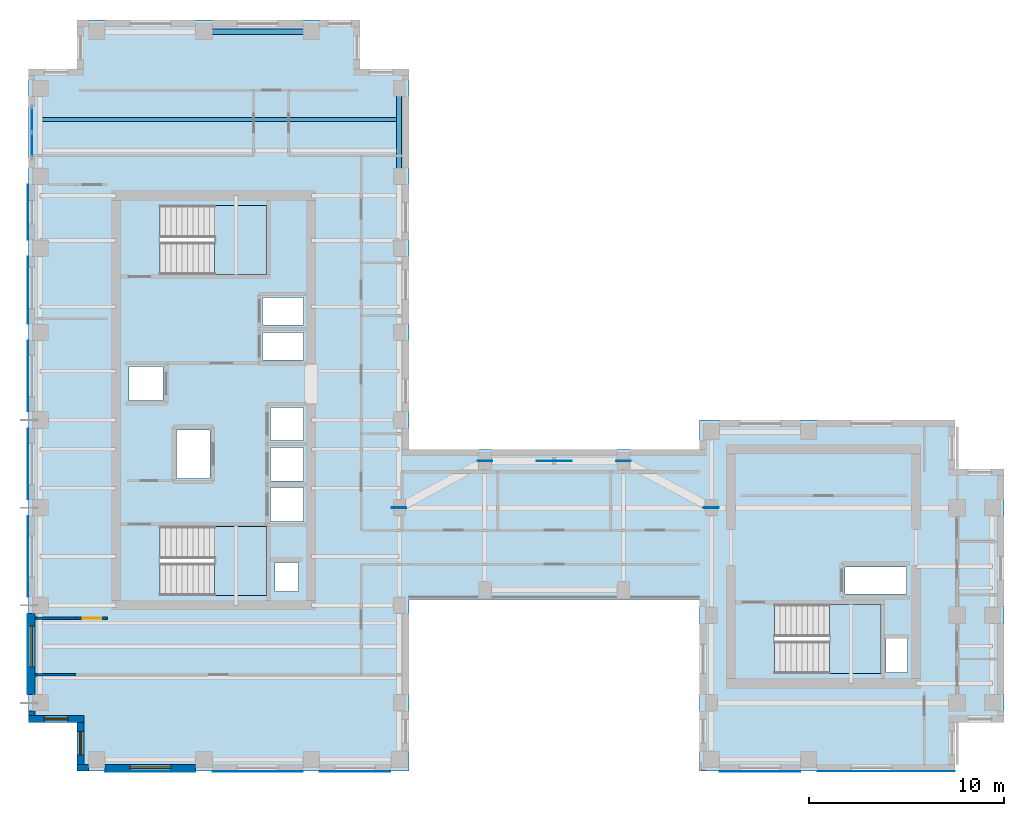
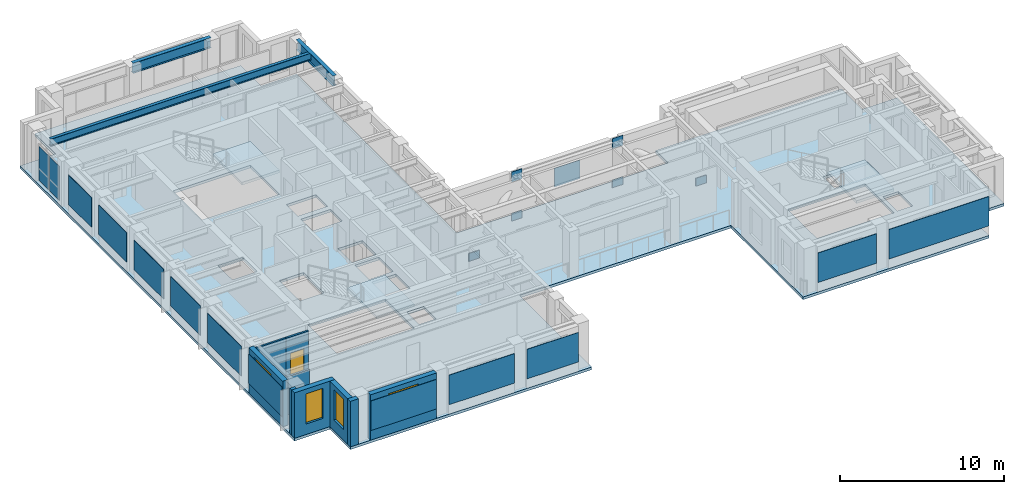
# One storey, part 5 of 13: 20 plates, 9 walls, 4 slabs, 4 windows, 3 beams, 1 door, 5 openings, 4 elements without a shape of their own.
"""IFC4 building model written with IfcOpenShell, lengths in metres."""

from ifc_helpers import new_model, si_unit, direction, frame, frame_2d, origin, origin_2d, place, context, subcontext, project, spatial, polyline, rectangle, i_section, outline, extrude, source, transform, mapped, material, layer, layer_set, material_profile, profile_set, type_object, element, fill, aggregate, save


model = new_model("IFC4")

# Units and contexts
model_context = context("Model", 3, precision=1e-05, world=origin(), true_north=direction((0.0, 1.0)))
body_context = subcontext(model_context, "Body", "Model", "MODEL_VIEW")
ifc_project = project(units=[si_unit("LENGTHUNIT", "METRE"), si_unit("AREAUNIT", "SQUARE_METRE"), si_unit("VOLUMEUNIT", "CUBIC_METRE"), si_unit("PLANEANGLEUNIT", "RADIAN"), si_unit("MASSUNIT", "GRAM", prefix="KILO")], contexts=[model_context])

# Site, building, storey
site_placement = place(None, origin())
site = spatial("IfcSite", under=ifc_project, at=site_placement, CompositionType="ELEMENT")
building_placement = place(site_placement, origin())
building = spatial("IfcBuilding", under=site, at=building_placement, Name="Kharzan Plaza Tower", CompositionType="ELEMENT")
storey_placement = place(building_placement, frame((0.0, 0.0, 244.800048828125)))
storey = spatial("IfcBuildingStorey", under=building, at=storey_placement, Name="L66", CompositionType="ELEMENT", Elevation=244.800048828125)

# Beams
ifc_material_1 = material(Name="Steel S355", Category="steel")
ifc_material_profile_1 = material_profile(ifc_material_1, i_section(OverallWidth=0.2099609375, OverallDepth=0.537109375, WebThickness=0.010986328125, FlangeThickness=0.017333984375, at=origin_2d()), Name="W530x101")
ifc_profile_set_1 = profile_set([ifc_material_profile_1], Name="Steel S355")
beam_type_1 = type_object("IfcBeamType", Name="BM-JST530B", PredefinedType="JOIST", material=ifc_profile_set_1)
shared_shape_1 = source(origin(), body_context, "Body", "SweptSolid", [
    extrude(i_section(OverallWidth=0.2099609375, OverallDepth=0.537109375, WebThickness=0.010986328125, FlangeThickness=0.017333984375, at=origin_2d()), origin(), (0.0, 0.0, 1.0), 18.39990234375),
])
beam_1_placement = place(storey_placement, frame((0.60009765625, 33.39990234375, 3.13134765625), z_axis=(1.0, 0.0, 0.0), x_axis=(0.0, 1.0, 0.0)))
element("IfcBeam", 1, at=beam_1_placement, inside=storey, type_object=beam_type_1, Name="L66 Wing A Composite Joist 05", PredefinedType="JOIST", context=body_context, shape_type="MappedRepresentation", body=[
    mapped(shared_shape_1, transform((0.0, 0.0, 0.0), x_axis=(1.0, 0.0, 0.0), y_axis=(0.0, 1.0, 0.0), z_axis=(0.0, 0.0, 1.0))),
])
ifc_material_profile_2 = material_profile(ifc_material_1, i_section(OverallWidth=0.26708984375, OverallDepth=0.76611328125, WebThickness=0.014892578125, FlangeThickness=0.023681640625, at=origin_2d()), Name="W760x185")
ifc_profile_set_2 = profile_set([ifc_material_profile_2], Name="Steel S355")
beam_type_2 = type_object("IfcBeamType", Name="BM-SP760B", PredefinedType="SPANDREL", material=ifc_profile_set_2)
shared_shape_2 = source(origin(), body_context, "Body", "SweptSolid", [
    extrude(i_section(OverallWidth=0.26708984375, OverallDepth=0.76611328125, WebThickness=0.014892578125, FlangeThickness=0.023681640625, at=origin_2d()), origin(), (0.0, 0.0, 1.0), 4.5),
])
beam_2_placement = place(storey_placement, frame((19.0, 30.5, 3.016845703125), z_axis=(0.0, 1.0, 0.0), x_axis=(-1.0, 0.0, 0.0)))
element("IfcBeam", 2, at=beam_2_placement, inside=storey, type_object=beam_type_2, Name="L66 Perimeter Tube Spandrel", PredefinedType="SPANDREL", context=body_context, shape_type="MappedRepresentation", body=[
    mapped(shared_shape_2, transform((0.0, 0.0, 0.0), x_axis=(1.0, 0.0, 0.0), y_axis=(0.0, 1.0, 0.0), z_axis=(0.0, 0.0, 1.0))),
])
shared_shape_3 = source(origin(), body_context, "Body", "SweptSolid", [
    extrude(i_section(OverallWidth=0.26708984375, OverallDepth=0.76611328125, WebThickness=0.014892578125, FlangeThickness=0.023681640625, at=origin_2d()), origin(), (0.0, 0.0, 1.0), 5.5),
])
beam_3_placement = place(storey_placement, frame((9.0, 37.89990234375, 3.016845703125), z_axis=(1.0, 0.0, 0.0), x_axis=(0.0, 1.0, 0.0)))
element("IfcBeam", 3, at=beam_3_placement, inside=storey, type_object=beam_type_2, Name="L66 Perimeter Tube Spandrel", PredefinedType="SPANDREL", context=body_context, shape_type="MappedRepresentation", body=[
    mapped(shared_shape_3, transform((0.0, 0.0, 0.0), x_axis=(1.0, 0.0, 0.0), y_axis=(0.0, 1.0, 0.0), z_axis=(0.0, 0.0, 1.0))),
])

# Slab
ifc_material_2 = material(Name="Concrete C40/50", Category="concrete")
ifc_layer_1 = layer(ifc_material_2, 0.199951171875)
ifc_layer_set_1 = layer_set([ifc_layer_1], Name="Concrete C40/50")
slab_type_1 = type_object("IfcSlabType", Name="SL-FLOOR-200", PredefinedType="FLOOR", material=ifc_layer_set_1)
slab_1_placement = place(storey_placement, frame((0.0, 0.0, -0.199951171875)))
element("IfcSlab", 4, at=slab_1_placement, inside=storey, type_object=slab_type_1, Name="L66 Composite Structural Floor Slab 200 mm", PredefinedType="FLOOR", context=body_context, shape_type="SweptSolid", body=[
    extrude(outline(polyline([(34.39990234375, 16.5), (19.5, 16.5), (19.5, 36.0), (17.0, 36.0), (17.0, 38.5), (2.5, 38.5), (2.5, 36.0), (0.0, 36.0), (0.0, 2.5), (2.5, 2.5), (2.5, 0.0), (19.5, 0.0), (19.5, 8.800048828125), (34.39990234375, 8.800048828125), (34.39990234375, 0.0), (47.5, 0.0), (47.5, 2.5), (50.0, 2.5), (50.0, 15.5), (47.5, 15.5), (47.5, 18.0), (34.39990234375, 18.0), (34.39990234375, 16.5)]), holes=[polyline([(12.199951171875, 12.550048828125), (6.75, 12.550048828125), (6.75, 9.0), (12.199951171875, 9.0), (12.199951171875, 12.550048828125)]), polyline([(14.10009765625, 12.800048828125), (14.10009765625, 14.530029296875), (12.39990234375, 14.530029296875), (12.39990234375, 12.800048828125), (14.10009765625, 12.800048828125)]), polyline([(9.300048828125, 15.0), (9.300048828125, 17.5), (7.60009765625, 17.5), (7.60009765625, 15.0), (9.300048828125, 15.0)]), polyline([(6.89990234375, 20.72998046875), (5.14990234375, 20.72998046875), (5.14990234375, 19.010009765625), (6.89990234375, 19.010009765625), (6.89990234375, 20.72998046875)]), polyline([(14.10009765625, 21.070068359375), (14.10009765625, 22.489990234375), (12.0, 22.489990234375), (12.0, 21.070068359375), (14.10009765625, 21.070068359375)]), polyline([(14.10009765625, 22.8701171875), (14.10009765625, 24.2900390625), (12.0, 24.2900390625), (12.0, 22.8701171875), (14.10009765625, 22.8701171875)]), polyline([(12.199951171875, 29.0), (6.75, 29.0), (6.75, 25.449951171875), (12.199951171875, 25.449951171875), (12.199951171875, 29.0)]), polyline([(45.050048828125, 5.050048828125), (45.050048828125, 6.800048828125), (43.949951171875, 6.800048828125), (43.949951171875, 5.050048828125), (45.050048828125, 5.050048828125)]), polyline([(43.699951171875, 5.0), (43.699951171875, 8.550048828125), (38.25, 8.550048828125), (38.25, 5.0), (43.699951171875, 5.0)]), polyline([(45.0, 9.070068359375), (45.0, 10.469970703125), (41.85009765625, 10.469970703125), (41.85009765625, 9.070068359375), (45.0, 9.070068359375)]), polyline([(13.85009765625, 9.199951171875), (13.85009765625, 10.699951171875), (12.64990234375, 10.699951171875), (12.64990234375, 9.199951171875), (13.85009765625, 9.199951171875)]), polyline([(14.10009765625, 14.8701171875), (14.10009765625, 16.60009765625), (12.39990234375, 16.60009765625), (12.39990234375, 14.8701171875), (14.10009765625, 14.8701171875)]), polyline([(14.10009765625, 16.93994140625), (14.10009765625, 18.64990234375), (12.39990234375, 18.64990234375), (12.39990234375, 16.93994140625), (14.10009765625, 16.93994140625)])]), origin(), (0.0, 0.0, 1.0), 0.199951171875),
])

# Stair, slab
stair_type_1 = type_object("IfcStairType", Name="STR-ST-1", PredefinedType="HALF_TURN_STAIR", material=ifc_material_2)
stair_1_placement = place(storey_placement, origin())
stair_1 = element("IfcStair", 5, at=stair_1_placement, inside=storey, type_object=stair_type_1, Name="L66 Protected Exit Stair ST-1", PredefinedType="HALF_TURN_STAIR")
ifc_layer_2 = layer(ifc_material_2, 0.219970703125)
ifc_layer_set_2 = layer_set([ifc_layer_2], Name="Concrete C40/50")
slab_type_2 = type_object("IfcSlabType", Name="SL-LANDING-220", PredefinedType="LANDING", material=ifc_layer_set_2)
slab_2_placement = place(storey_placement, frame((0.0, 0.0, 1.599853515625)))
slab_2 = element("IfcSlab", 6, at=slab_2_placement, type_object=slab_type_2, Name="ST-1 landing 1", PredefinedType="LANDING", context=body_context, shape_type="SweptSolid", body=[
    extrude(outline(polyline([(9.550048828125, 9.0), (12.199951171875, 9.0), (12.199951171875, 12.550048828125), (9.550048828125, 12.550048828125), (9.550048828125, 9.0)])), origin(), (0.0, 0.0, 1.0), 0.2001953125),
])
aggregate(stair_1, [slab_2])

stair_type_2 = type_object("IfcStairType", Name="STR-ST-2", PredefinedType="HALF_TURN_STAIR", material=ifc_material_2)
stair_2_placement = place(storey_placement, origin())
stair_2 = element("IfcStair", 7, at=stair_2_placement, inside=storey, type_object=stair_type_2, Name="L66 Protected Exit Stair ST-2", PredefinedType="HALF_TURN_STAIR")
slab_3_placement = place(storey_placement, frame((0.0, 0.0, 1.599853515625)))
slab_3 = element("IfcSlab", 8, at=slab_3_placement, type_object=slab_type_2, Name="ST-2 landing 1", PredefinedType="LANDING", context=body_context, shape_type="SweptSolid", body=[
    extrude(outline(polyline([(9.550048828125, 25.449951171875), (12.199951171875, 25.449951171875), (12.199951171875, 29.0), (9.550048828125, 29.0), (9.550048828125, 25.449951171875)])), origin(), (0.0, 0.0, 1.0), 0.2001953125),
])
aggregate(stair_2, [slab_3])

stair_type_3 = type_object("IfcStairType", Name="STR-ST-3", PredefinedType="HALF_TURN_STAIR", material=ifc_material_2)
stair_3_placement = place(storey_placement, origin())
stair_3 = element("IfcStair", 9, at=stair_3_placement, inside=storey, type_object=stair_type_3, Name="L66 Protected Exit Stair ST-3", PredefinedType="HALF_TURN_STAIR")
slab_4_placement = place(storey_placement, frame((0.0, 0.0, 1.599853515625)))
slab_4 = element("IfcSlab", 10, at=slab_4_placement, type_object=slab_type_2, Name="ST-3 landing 1", PredefinedType="LANDING", context=body_context, shape_type="SweptSolid", body=[
    extrude(outline(polyline([(41.050048828125, 5.0), (43.699951171875, 5.0), (43.699951171875, 8.550048828125), (41.050048828125, 8.550048828125), (41.050048828125, 5.0)])), origin(), (0.0, 0.0, 1.0), 0.2001953125),
])
aggregate(stair_3, [slab_4])

# Plates
ifc_material_3 = material(Name="Steel S460", Category="steel")
ifc_layer_3 = layer(ifc_material_3, 0.0380859375)
ifc_layer_set_3 = layer_set([ifc_layer_3], Name="Steel S460")
plate_type_1 = type_object("IfcPlateType", Name="PLT-WPN1", PredefinedType="USERDEFINED", material=ifc_layer_set_3)
shared_shape_4 = source(origin(), body_context, "Body", "SweptSolid", [
    extrude(rectangle(XDim=0.75, YDim=0.0380859375, at=origin_2d()), origin(), (0.0, 0.0, 1.0), 0.75),
])
for number, where, z_axis, x_axis, name in (
    (11, (30.5, 15.89990234375, -0.175048828125), (0.0, 0.0, 1.0), (1.0, 0.0, 0.0), "L66 Wind Turbine Strut Foot Gusset Plate WPN-TSE"),
    (12, (23.39990234375, 15.89990234375, -0.175048828125), (0.0, 0.0, 1.0), (1.0, 0.0, 0.0), "L66 Wind Turbine Strut Foot Gusset Plate WPN-TSW"),
    (13, (23.39990234375, 15.89990234375, 2.905029296875), (0.0, 0.0, 1.0), (1.0, 0.0, 0.0), "L66 Wind Portal Node Gusset Plate WPN1"),
    (14, (35.0, 13.5, -0.175048828125), (0.0, 0.0, 1.0), (1.0, 0.0, 0.0), "L66 Wind Portal Node Gusset Plate WPN1-EB"),
    (15, (30.5, 15.89990234375, 2.905029296875), (0.0, 0.0, 1.0), (1.0, 0.0, 0.0), "L66 Wind Portal Node Gusset Plate WPN1-ET"),
    (16, (19.0, 13.5, -0.175048828125), (0.0, 0.0, 1.0), (1.0, 0.0, 0.0), "L66 Wind Portal Node Gusset Plate WPN1-WB"),
):
    element("IfcPlate", number, at=place(storey_placement, frame(where, z_axis=z_axis, x_axis=x_axis)), inside=storey, type_object=plate_type_1, Name=name, ObjectType="GUSSET_PLATE", PredefinedType="USERDEFINED", context=body_context, shape_type="MappedRepresentation", body=[
        mapped(shared_shape_4, transform((0.0, 0.0, 0.0), x_axis=(1.0, 0.0, 0.0), y_axis=(0.0, 1.0, 0.0), z_axis=(0.0, 0.0, 1.0))),
    ])
ifc_layer_4 = layer(ifc_material_3, 0.02490234375)
ifc_layer_set_4 = layer_set([ifc_layer_4], Name="Steel S460")
plate_type_2 = type_object("IfcPlateType", Name="PLT-SHRD", PredefinedType="USERDEFINED", material=ifc_layer_set_4)
shared_shape_5 = source(origin(), body_context, "Body", "SweptSolid", [
    extrude(rectangle(XDim=1.800048828125, YDim=0.02490234375, at=origin_2d()), origin(), (0.0, 0.0, 1.0), 1.39990234375),
])
plate_1_placement = place(storey_placement, frame((26.949951171875, 15.89990234375, 1.47998046875), z_axis=(0.0, 0.0, 1.0), x_axis=(1.0, 0.0, 0.0)))
element("IfcPlate", 17, at=plate_1_placement, inside=storey, type_object=plate_type_2, Name="L66 Wind Turbine Slot Shroud Plate TSN1", ObjectType="SHROUD_PLATE", PredefinedType="USERDEFINED", context=body_context, shape_type="MappedRepresentation", body=[
    mapped(shared_shape_5, transform((0.0, 0.0, 0.0), x_axis=(1.0, 0.0, 0.0), y_axis=(0.0, 1.0, 0.0), z_axis=(0.0, 0.0, 1.0))),
])
ifc_material_4 = material(Name="Perforated Bronze-Anodized Aluminium", Category="aluminium")
ifc_layer_5 = layer(ifc_material_4, 0.030029296875)
ifc_layer_set_5 = layer_set([ifc_layer_5], Name="Perforated Bronze-Anodized Aluminium")
plate_type_3 = type_object("IfcPlateType", Name="PLT-MASH-SCREEN", PredefinedType="SHEET", material=ifc_layer_set_5)
shared_shape_6 = source(origin(), body_context, "Body", "SweptSolid", [
    extrude(rectangle(XDim=3.614013671875, YDim=0.030029296875, at=origin_2d()), origin(), (0.0, 0.0, 1.0), 2.199951171875),
])
for number, where, z_axis, x_axis, name in (
    (18, (-0.012939453125, 20.25, 0.72998046875), (0.0, 0.0, 1.0), (0.0, -1.0, 0.0), "L66 Perforated Mashrabiya Solar Screen"),
    (19, (-0.012939453125, 15.75, 0.72998046875), (0.0, 0.0, 1.0), (0.0, -1.0, 0.0), "L66 Perforated Mashrabiya Solar Screen"),
    (20, (16.75, -0.012939453125, 0.72998046875), (0.0, 0.0, 1.0), (1.0, 0.0, 0.0), "L66 Perforated Mashrabiya Solar Screen"),
):
    element("IfcPlate", number, at=place(storey_placement, frame(where, z_axis=z_axis, x_axis=x_axis)), inside=storey, type_object=plate_type_3, Name=name, PredefinedType="SHEET", context=body_context, shape_type="MappedRepresentation", body=[
        mapped(shared_shape_6, transform((0.0, 0.0, 0.0), x_axis=(1.0, 0.0, 0.0), y_axis=(0.0, 1.0, 0.0), z_axis=(0.0, 0.0, 1.0))),
    ])
shared_shape_7 = source(origin(), body_context, "Body", "SweptSolid", [
    extrude(rectangle(XDim=2.81396484375, YDim=0.030029296875, at=origin_2d()), origin(), (0.0, 0.0, 1.0), 2.199951171875),
])
plate_2_placement = place(storey_placement, frame((-0.012939453125, 28.64990234375, 0.72998046875), z_axis=(0.0, 0.0, 1.0), x_axis=(0.0, -1.0, 0.0)))
element("IfcPlate", 21, at=plate_2_placement, inside=storey, type_object=plate_type_3, Name="L66 Perforated Mashrabiya Solar Screen", PredefinedType="SHEET", context=body_context, shape_type="MappedRepresentation", body=[
    mapped(shared_shape_7, transform((0.0, 0.0, 0.0), x_axis=(1.0, 0.0, 0.0), y_axis=(0.0, 1.0, 0.0), z_axis=(0.0, 0.0, 1.0))),
])
shared_shape_8 = source(origin(), body_context, "Body", "SweptSolid", [
    extrude(rectangle(XDim=4.114013671875, YDim=0.030029296875, at=origin_2d()), origin(), (0.0, 0.0, 1.0), 2.199951171875),
])
for number, where, z_axis, x_axis, name in (
    (22, (-0.012939453125, 11.0, 0.72998046875), (0.0, 0.0, 1.0), (0.0, -1.0, 0.0), "L66 Perforated Mashrabiya Solar Screen"),
    (23, (-0.012939453125, 6.0, 0.72998046875), (0.0, 0.0, 1.0), (0.0, -1.0, 0.0), "L66 Perforated Mashrabiya Solar Screen"),
    (24, (37.5, -0.012939453125, 0.72998046875), (0.0, 0.0, 1.0), (1.0, 0.0, 0.0), "L66 Perforated Mashrabiya Solar Screen"),
):
    element("IfcPlate", number, at=place(storey_placement, frame(where, z_axis=z_axis, x_axis=x_axis)), inside=storey, type_object=plate_type_3, Name=name, PredefinedType="SHEET", context=body_context, shape_type="MappedRepresentation", body=[
        mapped(shared_shape_8, transform((0.0, 0.0, 0.0), x_axis=(1.0, 0.0, 0.0), y_axis=(0.0, 1.0, 0.0), z_axis=(0.0, 0.0, 1.0))),
    ])
shared_shape_9 = source(origin(), body_context, "Body", "SweptSolid", [
    extrude(rectangle(XDim=4.614013671875, YDim=0.030029296875, at=origin_2d()), origin(), (0.0, 0.0, 1.0), 2.199951171875),
])
for number, where, z_axis, x_axis, name in (
    (25, (6.25, -0.012939453125, 0.72998046875), (0.0, 0.0, 1.0), (1.0, 0.0, 0.0), "L66 Perforated Mashrabiya Solar Screen"),
    (26, (11.75, -0.012939453125, 0.72998046875), (0.0, 0.0, 1.0), (1.0, 0.0, 0.0), "L66 Perforated Mashrabiya Solar Screen"),
):
    element("IfcPlate", number, at=place(storey_placement, frame(where, z_axis=z_axis, x_axis=x_axis)), inside=storey, type_object=plate_type_3, Name=name, PredefinedType="SHEET", context=body_context, shape_type="MappedRepresentation", body=[
        mapped(shared_shape_9, transform((0.0, 0.0, 0.0), x_axis=(1.0, 0.0, 0.0), y_axis=(0.0, 1.0, 0.0), z_axis=(0.0, 0.0, 1.0))),
    ])
shared_shape_10 = source(origin(), body_context, "Body", "SweptSolid", [
    extrude(rectangle(XDim=7.037109375, YDim=0.030029296875, at=origin_2d()), origin(), (0.0, 0.0, 1.0), 2.199951171875),
])
plate_3_placement = place(storey_placement, frame((43.96142578125, -0.012939453125, 0.72998046875), z_axis=(0.0, 0.0, 1.0), x_axis=(1.0, 0.0, 0.0)))
element("IfcPlate", 27, at=plate_3_placement, inside=storey, type_object=plate_type_3, Name="L66 Perforated Mashrabiya Solar Screen", PredefinedType="SHEET", context=body_context, shape_type="MappedRepresentation", body=[
    mapped(shared_shape_10, transform((0.0, 0.0, 0.0), x_axis=(1.0, 0.0, 0.0), y_axis=(0.0, 1.0, 0.0), z_axis=(0.0, 0.0, 1.0))),
])
shared_shape_11 = source(origin(), body_context, "Body", "SweptSolid", [
    extrude(rectangle(XDim=3.4140625, YDim=0.030029296875, at=origin_2d()), origin(), (0.0, 0.0, 1.0), 2.199951171875),
])
plate_4_placement = place(storey_placement, frame((-0.012939453125, 24.64990234375, 0.72998046875), z_axis=(0.0, 0.0, 1.0), x_axis=(0.0, -1.0, 0.0)))
element("IfcPlate", 28, at=plate_4_placement, inside=storey, type_object=plate_type_3, Name="L66 Perforated Mashrabiya Solar Screen", PredefinedType="SHEET", context=body_context, shape_type="MappedRepresentation", body=[
    mapped(shared_shape_11, transform((0.0, 0.0, 0.0), x_axis=(1.0, 0.0, 0.0), y_axis=(0.0, 1.0, 0.0), z_axis=(0.0, 0.0, 1.0))),
])

# Curtain wall, plates
ifc_material_5 = material(Name="Unitised Bronze-Anodized Aluminium and Low-E Glass", Category="aluminium")
ifc_layer_6 = layer(ifc_material_5, 0.199951171875)
ifc_layer_set_6 = layer_set([ifc_layer_6], Name="Unitised Bronze-Anodized Aluminium and Low-E Glass")
curtain_wall_type = type_object("IfcCurtainWallType", Name="CW-EXEC-5", PredefinedType="NOTDEFINED", material=ifc_layer_set_6)
curtain_wall_placement = place(storey_placement, origin())
curtain_wall = element("IfcCurtainWall", 29, at=curtain_wall_placement, inside=storey, type_object=curtain_wall_type, Name="L66 Upper Executive Setback Panoramic Curtain Wall", PredefinedType="NOTDEFINED")
ifc_material_6 = material(Name="Dark Solar-Control Double Glazing", Category="glass")
ifc_layer_7 = layer(ifc_material_6, 0.031982421875)
ifc_layer_set_7 = layer_set([ifc_layer_7], Name="Dark Solar-Control Double Glazing")
plate_type_4 = type_object("IfcPlateType", Name="PLT-CW-GLASS", PredefinedType="CURTAIN_PANEL", material=ifc_layer_set_7)
shared_shape_12 = source(origin(), body_context, "Body", "SweptSolid", [
    extrude(rectangle(XDim=1.179931640625, YDim=0.031982421875, at=origin_2d()), origin(), (0.0, 0.0, 1.0), 2.5400390625),
])
plate_5_placement = place(storey_placement, frame((0.179931640625, 32.10009765625, 0.079833984375), z_axis=(0.0, 0.0, 1.0), x_axis=(0.0, 1.0, 0.0)))
plate_5 = element("IfcPlate", 30, at=plate_5_placement, type_object=plate_type_4, Name="L66 Curtain-Wall Glazed Panel 00", PredefinedType="CURTAIN_PANEL", context=body_context, shape_type="MappedRepresentation", body=[
    mapped(shared_shape_12, transform((0.0, 0.0, 0.0), x_axis=(1.0, 0.0, 0.0), y_axis=(0.0, 1.0, 0.0), z_axis=(0.0, 0.0, 1.0))),
])
plate_6_placement = place(storey_placement, frame((0.179931640625, 33.39990234375, 0.079833984375), z_axis=(0.0, 0.0, 1.0), x_axis=(0.0, 1.0, 0.0)))
plate_6 = element("IfcPlate", 31, at=plate_6_placement, type_object=plate_type_4, Name="L66 Curtain-Wall Glazed Panel 01", PredefinedType="CURTAIN_PANEL", context=body_context, shape_type="MappedRepresentation", body=[
    mapped(shared_shape_12, transform((0.0, 0.0, 0.0), x_axis=(1.0, 0.0, 0.0), y_axis=(0.0, 1.0, 0.0), z_axis=(0.0, 0.0, 1.0))),
])
aggregate(curtain_wall, [plate_5, plate_6])

# Wall, opening, window
ifc_layer_8 = layer(ifc_material_2, 0.35009765625)
ifc_layer_set_8 = layer_set([ifc_layer_8], Name="Concrete C40/50")
wall_type_1 = type_object("IfcWallType", Name="WL-EXT-MAS-Z4", PredefinedType="SOLIDWALL", material=ifc_layer_set_8)
wall_1_placement = place(storey_placement, frame((0.175048828125, 8.076904296875, 0.0), z_axis=(0.0, 0.0, 1.0), x_axis=(0.0, -1.0, 0.0)))
wall_1 = element("IfcWall", 32, at=wall_1_placement, inside=storey, type_object=wall_type_1, Name="L66 Masonry-Frame Exterior Wall 23", PredefinedType="SOLIDWALL", context=body_context, shape_type="SweptSolid", body=[
    extrude(rectangle(XDim=4.15380859375, YDim=0.35009765625, at=frame_2d((2.076904296875, 0.0))), origin(), (0.0, 0.0, 1.0), 3.385009765625),
])
opening_1_placement = place(wall_1_placement, frame((0.626953125, 0.0, 0.780029296875)))
opening_1 = element("IfcOpeningElement", 33, at=opening_1_placement, cuts=wall_1, Name="Opening W6", PredefinedType="OPENING", context=body_context, shape_type="SweptSolid", body=[
    extrude(rectangle(XDim=2.10009765625, YDim=2.25, at=frame_2d((1.050048828125, 1.125))), frame((0.0, 0.18505859375, 0.0), z_axis=(0.0, -1.0, 0.0), x_axis=(1.0, 0.0, 0.0)), (0.0, 0.0, 1.0), 0.3701171875),
])
ifc_material_7 = material(Name="Low-E Double Glazing", Category="glass")
window_type_1 = type_object("IfcWindowType", Name="WN-EXEC-2100x2250", PartitioningType="SINGLE_PANEL", PredefinedType="WINDOW", material=ifc_material_7)
shared_shape_13 = source(origin(), body_context, "Body", "SweptSolid", [
    extrude(rectangle(XDim=2.10009765625, YDim=2.25, at=frame_2d((1.050048828125, 1.125))), frame((0.0, 0.030029296875, 0.0), z_axis=(0.0, -1.0, 0.0), x_axis=(1.0, 0.0, 0.0)), (0.0, 0.0, 1.0), 0.06005859375),
])
window_1_placement = place(opening_1_placement, origin())
window_1 = element("IfcWindow", 34, at=window_1_placement, inside=storey, type_object=window_type_1, Name="L66 Recessed Solar-Control Window 23-1", OverallHeight=2.25, OverallWidth=2.10009765625, PartitioningType="SINGLE_PANEL", PredefinedType="WINDOW", context=body_context, shape_type="MappedRepresentation", body=[
    mapped(shared_shape_13, transform((0.0, 0.0, 0.0), x_axis=(1.0, 0.0, 0.0), y_axis=(0.0, 1.0, 0.0), z_axis=(0.0, 0.0, 1.0))),
])
fill(opening_1, window_1)

wall_2_placement = place(storey_placement, frame((0.0, 2.675048828125, 0.0), z_axis=(0.0, 0.0, 1.0), x_axis=(1.0, 0.0, 0.0)))
wall_2 = element("IfcWall", 35, at=wall_2_placement, inside=storey, type_object=wall_type_1, Name="L66 Masonry-Frame Exterior Wall 25", PredefinedType="SOLIDWALL", context=body_context, shape_type="SweptSolid", body=[
    extrude(rectangle(XDim=2.85009765625, YDim=0.35009765625, at=frame_2d((1.425048828125, 0.0))), origin(), (0.0, 0.0, 1.0), 3.385009765625),
])
opening_2_placement = place(wall_2_placement, frame((0.824951171875, 0.0, 0.780029296875)))
opening_2 = element("IfcOpeningElement", 36, at=opening_2_placement, cuts=wall_2, Name="Opening W3", PredefinedType="OPENING", context=body_context, shape_type="SweptSolid", body=[
    extrude(rectangle(XDim=1.199951171875, YDim=2.25, at=frame_2d((0.60009765625, 1.125))), frame((0.0, 0.18505859375, 0.0), z_axis=(0.0, -1.0, 0.0), x_axis=(1.0, 0.0, 0.0)), (0.0, 0.0, 1.0), 0.3701171875),
])
window_type_2 = type_object("IfcWindowType", Name="WN-REC-1200x2100", PartitioningType="SINGLE_PANEL", PredefinedType="WINDOW", material=ifc_material_7)
shared_shape_14 = source(origin(), body_context, "Body", "SweptSolid", [
    extrude(rectangle(XDim=1.199951171875, YDim=2.25, at=frame_2d((0.60009765625, 1.125))), frame((0.0, 0.030029296875, 0.0), z_axis=(0.0, -1.0, 0.0), x_axis=(1.0, 0.0, 0.0)), (0.0, 0.0, 1.0), 0.06005859375),
])
window_2_placement = place(opening_2_placement, origin())
window_2 = element("IfcWindow", 37, at=window_2_placement, inside=storey, type_object=window_type_2, Name="L66 Recessed Solar-Control Window 25-1", OverallHeight=2.25, OverallWidth=1.199951171875, PartitioningType="SINGLE_PANEL", PredefinedType="WINDOW", context=body_context, shape_type="MappedRepresentation", body=[
    mapped(shared_shape_14, transform((0.0, 0.0, 0.0), x_axis=(1.0, 0.0, 0.0), y_axis=(0.0, 1.0, 0.0), z_axis=(0.0, 0.0, 1.0))),
])
fill(opening_2, window_2)

wall_3_placement = place(storey_placement, frame((2.675048828125, 2.501953125, 0.0), z_axis=(0.0, 0.0, 1.0), x_axis=(0.0, -1.0, 0.0)))
wall_3 = element("IfcWall", 38, at=wall_3_placement, inside=storey, type_object=wall_type_1, Name="L66 Masonry-Frame Exterior Wall 26", PredefinedType="SOLIDWALL", context=body_context, shape_type="SweptSolid", body=[
    extrude(rectangle(XDim=2.154052734375, YDim=0.35009765625, at=frame_2d((1.0771484375, 0.0))), origin(), (0.0, 0.0, 1.0), 3.385009765625),
])
opening_3_placement = place(wall_3_placement, frame((0.47705078125, 0.0, 0.780029296875)))
opening_3 = element("IfcOpeningElement", 39, at=opening_3_placement, cuts=wall_3, Name="Opening W3", PredefinedType="OPENING", context=body_context, shape_type="SweptSolid", body=[
    extrude(rectangle(XDim=1.199951171875, YDim=2.25, at=frame_2d((0.60009765625, 1.125))), frame((0.0, 0.18505859375, 0.0), z_axis=(0.0, -1.0, 0.0), x_axis=(1.0, 0.0, 0.0)), (0.0, 0.0, 1.0), 0.3701171875),
])
window_3_placement = place(opening_3_placement, origin())
window_3 = element("IfcWindow", 40, at=window_3_placement, inside=storey, type_object=window_type_2, Name="L66 Recessed Solar-Control Window 26-1", OverallHeight=2.25, OverallWidth=1.199951171875, PartitioningType="SINGLE_PANEL", PredefinedType="WINDOW", context=body_context, shape_type="MappedRepresentation", body=[
    mapped(shared_shape_14, transform((0.0, 0.0, 0.0), x_axis=(1.0, 0.0, 0.0), y_axis=(0.0, 1.0, 0.0), z_axis=(0.0, 0.0, 1.0))),
])
fill(opening_3, window_3)

wall_4_placement = place(storey_placement, frame((3.923095703125, 0.175048828125, 0.0), z_axis=(0.0, 0.0, 1.0), x_axis=(1.0, 0.0, 0.0)))
wall_4 = element("IfcWall", 41, at=wall_4_placement, inside=storey, type_object=wall_type_1, Name="L66 Masonry-Frame Exterior Wall 28", PredefinedType="SOLIDWALL", context=body_context, shape_type="SweptSolid", body=[
    extrude(rectangle(XDim=4.65380859375, YDim=0.35009765625, at=frame_2d((2.326904296875, 0.0))), origin(), (0.0, 0.0, 1.0), 3.385009765625),
])
opening_4_placement = place(wall_4_placement, frame((1.277099609375, 0.0, 0.780029296875)))
opening_4 = element("IfcOpeningElement", 42, at=opening_4_placement, cuts=wall_4, Name="Opening W6", PredefinedType="OPENING", context=body_context, shape_type="SweptSolid", body=[
    extrude(rectangle(XDim=2.10009765625, YDim=2.25, at=frame_2d((1.050048828125, 1.125))), frame((0.0, 0.18505859375, 0.0), z_axis=(0.0, -1.0, 0.0), x_axis=(1.0, 0.0, 0.0)), (0.0, 0.0, 1.0), 0.3701171875),
])
window_4_placement = place(opening_4_placement, origin())
window_4 = element("IfcWindow", 43, at=window_4_placement, inside=storey, type_object=window_type_1, Name="L66 Recessed Solar-Control Window 28-1", OverallHeight=2.25, OverallWidth=2.10009765625, PartitioningType="SINGLE_PANEL", PredefinedType="WINDOW", context=body_context, shape_type="MappedRepresentation", body=[
    mapped(shared_shape_13, transform((0.0, 0.0, 0.0), x_axis=(1.0, 0.0, 0.0), y_axis=(0.0, 1.0, 0.0), z_axis=(0.0, 0.0, 1.0))),
])
fill(opening_4, window_4)

# Wall, opening, door
ifc_material_8 = material(Name="Fire-Rated Gypsum Board Partition", Category="gypsum")
ifc_layer_9 = layer(ifc_material_8, 0.125)
ifc_layer_set_9 = layer_set([ifc_layer_9], Name="Fire-Rated Gypsum Board Partition")
wall_type_2 = type_object("IfcWallType", Name="WL-INT-PART-125", PredefinedType="PARTITIONING", material=ifc_layer_set_9)
wall_5_placement = place(storey_placement, frame((2.449951171875, 7.85009765625, 0.0), z_axis=(0.0, 0.0, 1.0), x_axis=(1.0, 0.0, 0.0)))
wall_5 = element("IfcWall", 44, at=wall_5_placement, inside=storey, type_object=wall_type_2, Name="L66 Interior Partition SH-RWSD", PredefinedType="PARTITIONING", context=body_context, shape_type="SweptSolid", body=[
    extrude(rectangle(XDim=1.60009765625, YDim=0.125, at=frame_2d((0.800048828125, 0.0))), origin(), (0.0, 0.0, 1.0), 3.385009765625),
])
opening_5_placement = place(wall_5_placement, frame((0.324951171875, 0.0, 0.0)))
opening_5 = element("IfcOpeningElement", 45, at=opening_5_placement, cuts=wall_5, Name="Opening OD1", PredefinedType="OPENING", context=body_context, shape_type="SweptSolid", body=[
    extrude(rectangle(XDim=0.949951171875, YDim=2.14990234375, at=frame_2d((0.47509765625, 1.074951171875))), frame((0.0, 0.072509765625, 0.0), z_axis=(0.0, -1.0, 0.0), x_axis=(1.0, 0.0, 0.0)), (0.0, 0.0, 1.0), 0.14501953125),
])
ifc_material_9 = material(Name="Acoustic Solid-Core Stained Oak", Category="timber")
door_type = type_object("IfcDoorType", Name="DR-OFF-SINGLE", OperationType="NOTDEFINED", PredefinedType="DOOR", material=ifc_material_9)
shared_shape_15 = source(origin(), body_context, "Body", "SweptSolid", [
    extrude(rectangle(XDim=0.949951171875, YDim=2.14990234375, at=frame_2d((0.47509765625, 1.074951171875))), frame((0.0, 0.02490234375, 0.0), z_axis=(0.0, -1.0, 0.0), x_axis=(1.0, 0.0, 0.0)), (0.0, 0.0, 1.0), 0.050048828125),
])
door_placement = place(opening_5_placement, origin())
door = element("IfcDoor", 46, at=door_placement, inside=storey, type_object=door_type, Name="L66 West Office 1 Door", OperationType="SINGLE_SWING_RIGHT", OverallHeight=2.14990234375, OverallWidth=0.949951171875, PredefinedType="DOOR", context=body_context, shape_type="MappedRepresentation", body=[
    mapped(shared_shape_15, transform((0.0, 0.0, 0.0), x_axis=(1.0, 0.0, 0.0), y_axis=(0.0, 1.0, 0.0), z_axis=(0.0, 0.0, 1.0))),
])
fill(opening_5, door)

# Walls
shared_shape_16 = source(origin(), body_context, "Body", "SweptSolid", [
    extrude(rectangle(XDim=2.097900390625, YDim=0.125, at=frame_2d((1.048828125, 0.0))), origin(), (0.0, 0.0, 1.0), 3.385009765625),
])
wall_6_placement = place(storey_placement, frame((0.35205078125, 7.85009765625, 0.0), z_axis=(0.0, 0.0, 1.0), x_axis=(1.0, 0.0, 0.0)))
element("IfcWall", 47, at=wall_6_placement, inside=storey, type_object=wall_type_2, Name="L66 Interior Partition SH-RWS0", PredefinedType="PARTITIONING", context=body_context, shape_type="MappedRepresentation", body=[
    mapped(shared_shape_16, transform((0.0, 0.0, 0.0), x_axis=(1.0, 0.0, 0.0), y_axis=(0.0, 1.0, 0.0), z_axis=(0.0, 0.0, 1.0))),
])
shared_shape_17 = source(origin(), body_context, "Body", "SweptSolid", [
    extrude(rectangle(XDim=2.097900390625, YDim=0.125, at=frame_2d((1.048828125, 0.0))), origin(), (0.0, 0.0, 1.0), 2.847900390625),
])
wall_7_placement = place(storey_placement, frame((0.35205078125, 4.949951171875, 0.0), z_axis=(0.0, 0.0, 1.0), x_axis=(1.0, 0.0, 0.0)))
element("IfcWall", 48, at=wall_7_placement, inside=storey, type_object=wall_type_2, Name="L66 Interior Partition SH-SS-EXT", PredefinedType="PARTITIONING", context=body_context, shape_type="MappedRepresentation", body=[
    mapped(shared_shape_17, transform((0.0, 0.0, 0.0), x_axis=(1.0, 0.0, 0.0), y_axis=(0.0, 1.0, 0.0), z_axis=(0.0, 0.0, 1.0))),
])
shared_shape_18 = source(origin(), body_context, "Body", "SweptSolid", [
    extrude(rectangle(XDim=0.576904296875, YDim=0.35009765625, at=frame_2d((0.28857421875, 0.0))), origin(), (0.0, 0.0, 1.0), 3.385009765625),
])
wall_8_placement = place(storey_placement, frame((2.5, 0.175048828125, 0.0), z_axis=(0.0, 0.0, 1.0), x_axis=(1.0, 0.0, 0.0)))
element("IfcWall", 49, at=wall_8_placement, inside=storey, type_object=wall_type_1, Name="L66 Masonry-Frame Exterior Wall 27", PredefinedType="SOLIDWALL", context=body_context, shape_type="MappedRepresentation", body=[
    mapped(shared_shape_18, transform((0.0, 0.0, 0.0), x_axis=(1.0, 0.0, 0.0), y_axis=(0.0, 1.0, 0.0), z_axis=(0.0, 0.0, 1.0))),
])
shared_shape_19 = source(origin(), body_context, "Body", "SweptSolid", [
    extrude(rectangle(XDim=0.22900390625, YDim=0.35009765625, at=frame_2d((0.114501953125, 0.0))), origin(), (0.0, 0.0, 1.0), 3.385009765625),
])
wall_9_placement = place(storey_placement, frame((0.175048828125, 3.076904296875, 0.0), z_axis=(0.0, 0.0, 1.0), x_axis=(0.0, -1.0, 0.0)))
element("IfcWall", 50, at=wall_9_placement, inside=storey, type_object=wall_type_1, Name="L66 Masonry-Frame Exterior Wall 24", PredefinedType="SOLIDWALL", context=body_context, shape_type="MappedRepresentation", body=[
    mapped(shared_shape_19, transform((0.0, 0.0, 0.0), x_axis=(1.0, 0.0, 0.0), y_axis=(0.0, 1.0, 0.0), z_axis=(0.0, 0.0, 1.0))),
])

save(model, "model.ifc")
